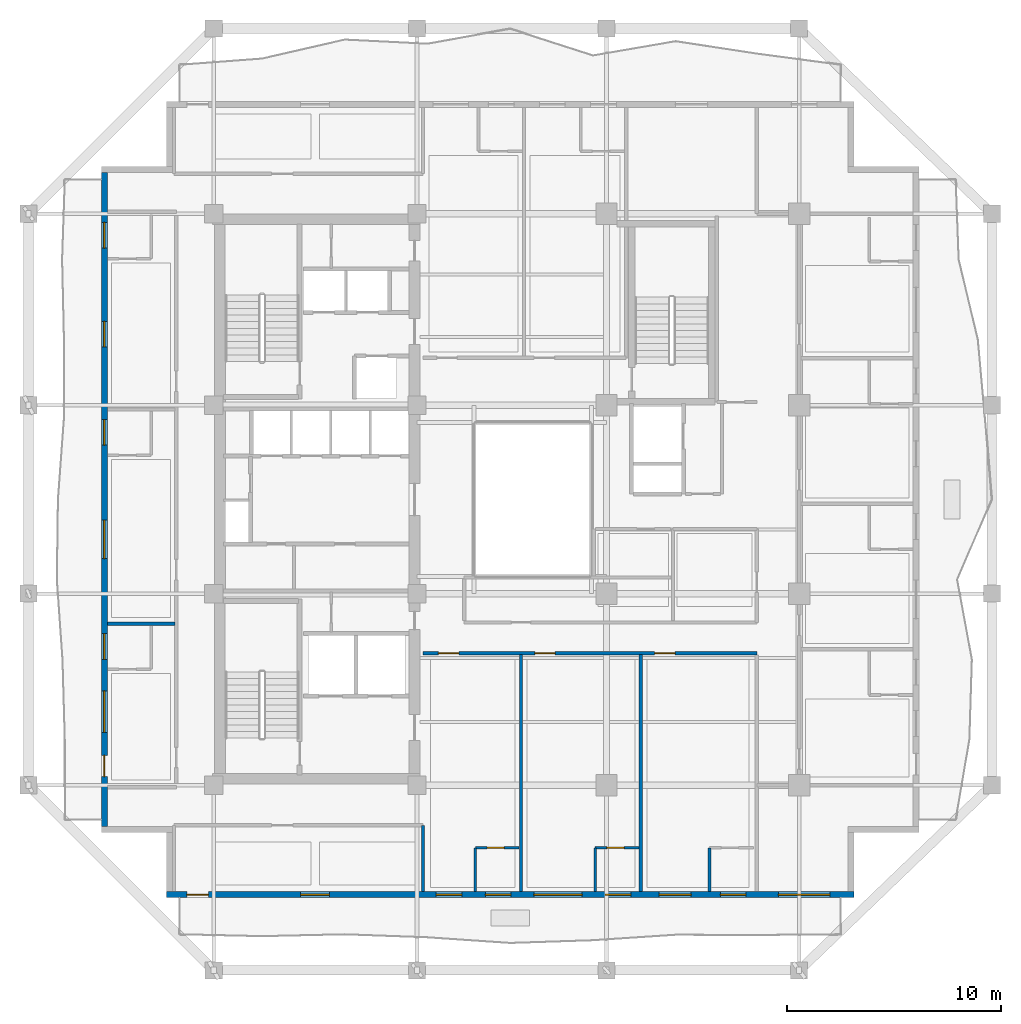
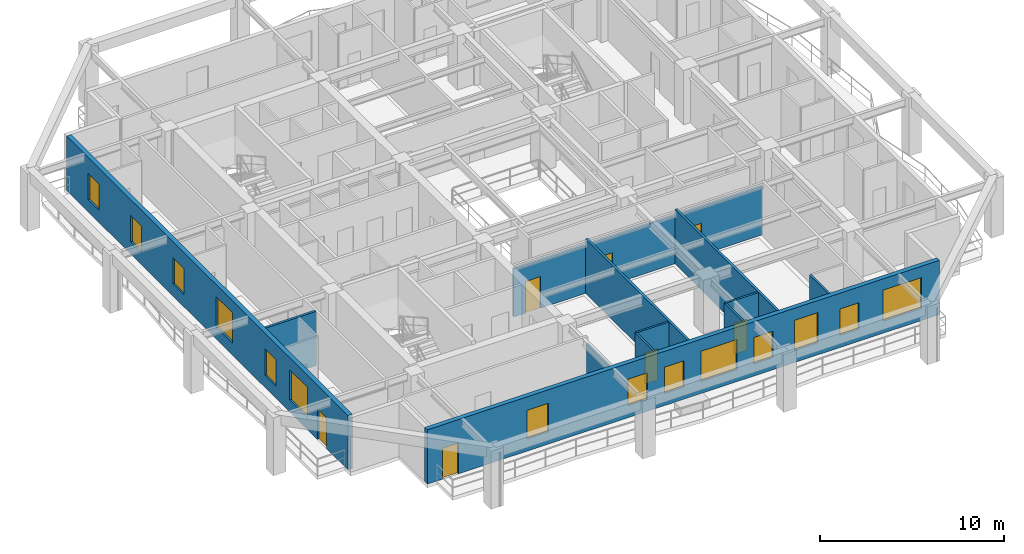
# One storey, part 3 of 12: 14 windows, 12 walls, 7 doors, 21 openings.
"""IFC4 building model written with IfcOpenShell, lengths in metres."""

from ifc_helpers import new_model, si_unit, direction, frame, frame_2d, origin, place, context, subcontext, project, spatial, rectangle, extrude, material, layer, layer_set, type_object, element, fill, save


model = new_model("IFC4")

# Units and contexts
model_context = context("Model", 3, precision=1e-05, world=origin(), true_north=direction((0.0, 1.0)))
body_context = subcontext(model_context, "Body", "Model", "MODEL_VIEW")
ifc_project = project(units=[si_unit("LENGTHUNIT", "METRE"), si_unit("AREAUNIT", "SQUARE_METRE"), si_unit("VOLUMEUNIT", "CUBIC_METRE"), si_unit("PLANEANGLEUNIT", "RADIAN"), si_unit("MASSUNIT", "GRAM", prefix="KILO")], contexts=[model_context])

# Site, building, storey
site_placement = place(None, origin())
site = spatial("IfcSite", under=ifc_project, at=site_placement, CompositionType="ELEMENT")
building_placement = place(site_placement, origin())
building = spatial("IfcBuilding", under=site, at=building_placement, Name="Kundavana Baori Tower", CompositionType="ELEMENT")
storey_placement = place(building_placement, frame((0.0, 0.0, 134.800048828125)))
storey = spatial("IfcBuildingStorey", under=building, at=storey_placement, Name="L32", CompositionType="ELEMENT", Elevation=134.800048828125)

# Wall, openings, door, windows
ifc_material_1 = material(Name="Red-Buff Dholpur Sandstone Cladding on Concrete C40/50", Category="masonry")
ifc_layer_1 = layer(ifc_material_1, 0.280029296875, Name="WL-EXT-SAND-280")
ifc_layer_set_1 = layer_set([ifc_layer_1], Name="Red-Buff Dholpur Sandstone Cladding on Concrete C40/50")
wall_type_1 = type_object("IfcWallType", Name="WL-EXT-SAND-280", PredefinedType="STANDARD", material=ifc_layer_set_1)
wall_1_placement = place(storey_placement, frame((13.25, 10.139892578125, 0.0), z_axis=(0.0, 0.0, 1.0), x_axis=(1.0, 0.0, 0.0)))
wall_1 = element("IfcWall", 1, at=wall_1_placement, inside=storey, type_object=wall_type_1, Name="L32 Exterior Insulated Facade Wall 01", PredefinedType="STANDARD", context=body_context, shape_type="SweptSolid", body=[
    extrude(rectangle(XDim=32.10009765625, YDim=0.280029296875, at=frame_2d((16.050048828125, 0.0))), origin(), (0.0, 0.0, 1.0), 3.599853515625),
])
opening_1_placement = place(wall_1_placement, frame((0.949951171875, 0.0, 0.0)))
opening_1 = element("IfcOpeningElement", 2, at=opening_1_placement, cuts=wall_1, Name="Opening BD-1", PredefinedType="OPENING", context=body_context, shape_type="SweptSolid", body=[
    extrude(rectangle(XDim=1.0, YDim=2.050048828125, at=frame_2d((0.5, 1.02490234375))), frame((0.0, 0.14990234375, 0.0), z_axis=(0.0, -1.0, 0.0), x_axis=(1.0, 0.0, 0.0)), (0.0, 0.0, 1.0), 0.300048828125),
])
opening_2_placement = place(wall_1_placement, frame((6.2548828125, 0.0, 0.800048828125)))
opening_2 = element("IfcOpeningElement", 3, at=opening_2_placement, cuts=wall_1, Name="Opening W-07", PredefinedType="OPENING", context=body_context, shape_type="SweptSolid", body=[
    extrude(rectangle(XDim=1.35009765625, YDim=1.89990234375, at=frame_2d((0.675048828125, 0.949951171875))), frame((0.0, 0.14990234375, 0.0), z_axis=(0.0, -1.0, 0.0), x_axis=(1.0, 0.0, 0.0)), (0.0, 0.0, 1.0), 0.300048828125),
])
opening_3_placement = place(wall_1_placement, frame((12.594970703125, 0.0, 0.800048828125)))
opening_3 = element("IfcOpeningElement", 4, at=opening_3_placement, cuts=wall_1, Name="Opening W-03", PredefinedType="OPENING", context=body_context, shape_type="SweptSolid", body=[
    extrude(rectangle(XDim=1.199951171875, YDim=1.75, at=frame_2d((0.60009765625, 0.875))), frame((0.0, 0.14990234375, 0.0), z_axis=(0.0, -1.0, 0.0), x_axis=(1.0, 0.0, 0.0)), (0.0, 0.0, 1.0), 0.300048828125),
])
opening_4_placement = place(wall_1_placement, frame((14.885009765625, 0.0, 0.800048828125)))
opening_4 = element("IfcOpeningElement", 5, at=opening_4_placement, cuts=wall_1, Name="Opening W-03", PredefinedType="OPENING", context=body_context, shape_type="SweptSolid", body=[
    extrude(rectangle(XDim=1.199951171875, YDim=1.75, at=frame_2d((0.60009765625, 0.875))), frame((0.0, 0.14990234375, 0.0), z_axis=(0.0, -1.0, 0.0), x_axis=(1.0, 0.0, 0.0)), (0.0, 0.0, 1.0), 0.300048828125),
])
opening_5_placement = place(wall_1_placement, frame((17.159912109375, 0.0, 0.800048828125)))
opening_5 = element("IfcOpeningElement", 6, at=opening_5_placement, cuts=wall_1, Name="Opening W-10", PredefinedType="OPENING", context=body_context, shape_type="SweptSolid", body=[
    extrude(rectangle(XDim=2.25, YDim=2.0, at=frame_2d((1.125, 1.0))), frame((0.0, 0.14990234375, 0.0), z_axis=(0.0, -1.0, 0.0), x_axis=(1.0, 0.0, 0.0)), (0.0, 0.0, 1.0), 0.300048828125),
])
opening_6_placement = place(wall_1_placement, frame((20.485107421875, 0.0, 0.800048828125)))
opening_6 = element("IfcOpeningElement", 7, at=opening_6_placement, cuts=wall_1, Name="Opening W-03", PredefinedType="OPENING", context=body_context, shape_type="SweptSolid", body=[
    extrude(rectangle(XDim=1.199951171875, YDim=1.75, at=frame_2d((0.60009765625, 0.875))), frame((0.0, 0.14990234375, 0.0), z_axis=(0.0, -1.0, 0.0), x_axis=(1.0, 0.0, 0.0)), (0.0, 0.0, 1.0), 0.300048828125),
])
opening_7_placement = place(wall_1_placement, frame((23.0048828125, 0.0, 0.800048828125)))
opening_7 = element("IfcOpeningElement", 8, at=opening_7_placement, cuts=wall_1, Name="Opening W-02", PredefinedType="OPENING", context=body_context, shape_type="SweptSolid", body=[
    extrude(rectangle(XDim=1.5, YDim=2.0, at=frame_2d((0.75, 1.0))), frame((0.0, 0.14990234375, 0.0), z_axis=(0.0, -1.0, 0.0), x_axis=(1.0, 0.0, 0.0)), (0.0, 0.0, 1.0), 0.300048828125),
])
opening_8_placement = place(wall_1_placement, frame((25.864990234375, 0.0, 0.800048828125)))
opening_8 = element("IfcOpeningElement", 9, at=opening_8_placement, cuts=wall_1, Name="Opening W-03", PredefinedType="OPENING", context=body_context, shape_type="SweptSolid", body=[
    extrude(rectangle(XDim=1.199951171875, YDim=1.75, at=frame_2d((0.60009765625, 0.875))), frame((0.0, 0.14990234375, 0.0), z_axis=(0.0, -1.0, 0.0), x_axis=(1.0, 0.0, 0.0)), (0.0, 0.0, 1.0), 0.300048828125),
])
opening_9_placement = place(wall_1_placement, frame((28.580078125, 0.0, 0.800048828125)))
opening_9 = element("IfcOpeningElement", 10, at=opening_9_placement, cuts=wall_1, Name="Opening W-04", PredefinedType="OPENING", context=body_context, shape_type="SweptSolid", body=[
    extrude(rectangle(XDim=2.39990234375, YDim=2.050048828125, at=frame_2d((1.199951171875, 1.02490234375))), frame((0.0, 0.14990234375, 0.0), z_axis=(0.0, -1.0, 0.0), x_axis=(1.0, 0.0, 0.0)), (0.0, 0.0, 1.0), 0.300048828125),
])
ifc_material_2 = material(Name="Architectural Patinated Bronze Metalwork")
door_type_1 = type_object("IfcDoorType", Name="DR-EXT-LOG-1000", OperationType="NOTDEFINED", PredefinedType="DOOR", material=ifc_material_2)
door_1_placement = place(opening_1_placement, frame((1.0, 0.0, 0.0), z_axis=(0.0, 0.0, 1.0), x_axis=(-1.0, 0.0, 0.0)))
door_1 = element("IfcDoor", 11, at=door_1_placement, inside=storey, type_object=door_type_1, Name="L32 Loggia Balcony Access Door S", OperationType="SINGLE_SWING_LEFT", OverallHeight=2.050048828125, OverallWidth=1.0, PredefinedType="DOOR", context=body_context, shape_type="SweptSolid", body=[
    extrude(rectangle(XDim=1.0, YDim=2.050048828125, at=frame_2d((0.5, 1.02490234375))), frame((0.0, 0.02490234375, 0.0), z_axis=(0.0, -1.0, 0.0), x_axis=(1.0, 0.0, 0.0)), (0.0, 0.0, 1.0), 0.050048828125),
])
fill(opening_1, door_1)
ifc_material_3 = material(Name="Double-Glazed Solar-Control Low-E Insulated Glass", Category="glass")
window_type_1 = type_object("IfcWindowType", Name="WIN-LOG-1200x1750", PartitioningType="SINGLE_PANEL", PredefinedType="WINDOW", material=ifc_material_3)
window_1_placement = place(opening_3_placement, origin())
window_1 = element("IfcWindow", 12, at=window_1_placement, inside=storey, type_object=window_type_1, Name="L32 Recessed Loggia Window S-2", OverallHeight=1.75, OverallWidth=1.199951171875, PartitioningType="SINGLE_PANEL", PredefinedType="WINDOW", context=body_context, shape_type="SweptSolid", body=[
    extrude(rectangle(XDim=1.199951171875, YDim=1.75, at=frame_2d((0.60009765625, 0.875))), frame((0.0, 0.030029296875, 0.0), z_axis=(0.0, -1.0, 0.0), x_axis=(1.0, 0.0, 0.0)), (0.0, 0.0, 1.0), 0.06005859375),
])
fill(opening_3, window_1)
window_2_placement = place(opening_4_placement, origin())
window_2 = element("IfcWindow", 13, at=window_2_placement, inside=storey, type_object=window_type_1, Name="L32 Recessed Loggia Window S-3", OverallHeight=1.75, OverallWidth=1.199951171875, PartitioningType="SINGLE_PANEL", PredefinedType="WINDOW", context=body_context, shape_type="SweptSolid", body=[
    extrude(rectangle(XDim=1.199951171875, YDim=1.75, at=frame_2d((0.60009765625, 0.875))), frame((0.0, 0.030029296875, 0.0), z_axis=(0.0, -1.0, 0.0), x_axis=(1.0, 0.0, 0.0)), (0.0, 0.0, 1.0), 0.06005859375),
])
fill(opening_4, window_2)
window_3_placement = place(opening_6_placement, origin())
window_3 = element("IfcWindow", 14, at=window_3_placement, inside=storey, type_object=window_type_1, Name="L32 Recessed Loggia Window S-5", OverallHeight=1.75, OverallWidth=1.199951171875, PartitioningType="SINGLE_PANEL", PredefinedType="WINDOW", context=body_context, shape_type="SweptSolid", body=[
    extrude(rectangle(XDim=1.199951171875, YDim=1.75, at=frame_2d((0.60009765625, 0.875))), frame((0.0, 0.030029296875, 0.0), z_axis=(0.0, -1.0, 0.0), x_axis=(1.0, 0.0, 0.0)), (0.0, 0.0, 1.0), 0.06005859375),
])
fill(opening_6, window_3)
window_4_placement = place(opening_8_placement, origin())
window_4 = element("IfcWindow", 15, at=window_4_placement, inside=storey, type_object=window_type_1, Name="L32 Recessed Loggia Window S-7", OverallHeight=1.75, OverallWidth=1.199951171875, PartitioningType="SINGLE_PANEL", PredefinedType="WINDOW", context=body_context, shape_type="SweptSolid", body=[
    extrude(rectangle(XDim=1.199951171875, YDim=1.75, at=frame_2d((0.60009765625, 0.875))), frame((0.0, 0.030029296875, 0.0), z_axis=(0.0, -1.0, 0.0), x_axis=(1.0, 0.0, 0.0)), (0.0, 0.0, 1.0), 0.06005859375),
])
fill(opening_8, window_4)
ifc_material_4 = material(Name="Double-Glazed Solar-Control Low-E Insulated Glass", Category="glass")
window_type_2 = type_object("IfcWindowType", Name="WIN-LOG-1350x1900", PartitioningType="SINGLE_PANEL", PredefinedType="WINDOW", material=ifc_material_4)
window_5_placement = place(opening_2_placement, origin())
window_5 = element("IfcWindow", 16, at=window_5_placement, inside=storey, type_object=window_type_2, Name="L32 Recessed Loggia Window S-1", OverallHeight=1.89990234375, OverallWidth=1.35009765625, PartitioningType="SINGLE_PANEL", PredefinedType="WINDOW", context=body_context, shape_type="SweptSolid", body=[
    extrude(rectangle(XDim=1.35009765625, YDim=1.89990234375, at=frame_2d((0.675048828125, 0.949951171875))), frame((0.0, 0.030029296875, 0.0), z_axis=(0.0, -1.0, 0.0), x_axis=(1.0, 0.0, 0.0)), (0.0, 0.0, 1.0), 0.06005859375),
])
fill(opening_2, window_5)
ifc_material_5 = material(Name="Double-Glazed Solar-Control Low-E Insulated Glass", Category="glass")
window_type_3 = type_object("IfcWindowType", Name="WIN-LOG-1500x2000", PartitioningType="SINGLE_PANEL", PredefinedType="WINDOW", material=ifc_material_5)
window_6_placement = place(opening_7_placement, origin())
window_6 = element("IfcWindow", 17, at=window_6_placement, inside=storey, type_object=window_type_3, Name="L32 Recessed Loggia Window S-6", OverallHeight=2.0, OverallWidth=1.5, PartitioningType="SINGLE_PANEL", PredefinedType="WINDOW", context=body_context, shape_type="SweptSolid", body=[
    extrude(rectangle(XDim=1.5, YDim=2.0, at=frame_2d((0.75, 1.0))), frame((0.0, 0.030029296875, 0.0), z_axis=(0.0, -1.0, 0.0), x_axis=(1.0, 0.0, 0.0)), (0.0, 0.0, 1.0), 0.06005859375),
])
fill(opening_7, window_6)
ifc_material_6 = material(Name="Double-Glazed Solar-Control Low-E Insulated Glass", Category="glass")
window_type_4 = type_object("IfcWindowType", Name="WIN-LOG-2250x2000", PartitioningType="SINGLE_PANEL", PredefinedType="WINDOW", material=ifc_material_6)
window_7_placement = place(opening_5_placement, origin())
window_7 = element("IfcWindow", 18, at=window_7_placement, inside=storey, type_object=window_type_4, Name="L32 Recessed Loggia Window S-4", OverallHeight=2.0, OverallWidth=2.25, PartitioningType="SINGLE_PANEL", PredefinedType="WINDOW", context=body_context, shape_type="SweptSolid", body=[
    extrude(rectangle(XDim=2.25, YDim=2.0, at=frame_2d((1.125, 1.0))), frame((0.0, 0.030029296875, 0.0), z_axis=(0.0, -1.0, 0.0), x_axis=(1.0, 0.0, 0.0)), (0.0, 0.0, 1.0), 0.06005859375),
])
fill(opening_5, window_7)
ifc_material_7 = material(Name="Double-Glazed Solar-Control Low-E Insulated Glass", Category="glass")
window_type_5 = type_object("IfcWindowType", Name="WIN-LOG-2400x2050", PartitioningType="SINGLE_PANEL", PredefinedType="WINDOW", material=ifc_material_7)
window_8_placement = place(opening_9_placement, origin())
window_8 = element("IfcWindow", 19, at=window_8_placement, inside=storey, type_object=window_type_5, Name="L32 Recessed Loggia Window S-8", OverallHeight=2.050048828125, OverallWidth=2.39990234375, PartitioningType="SINGLE_PANEL", PredefinedType="WINDOW", context=body_context, shape_type="SweptSolid", body=[
    extrude(rectangle(XDim=2.39990234375, YDim=2.050048828125, at=frame_2d((1.199951171875, 1.02490234375))), frame((0.0, 0.030029296875, 0.0), z_axis=(0.0, -1.0, 0.0), x_axis=(1.0, 0.0, 0.0)), (0.0, 0.0, 1.0), 0.06005859375),
])
fill(opening_9, window_8)

wall_2_placement = place(storey_placement, frame((10.340087890625, 43.8701171875, 0.0), z_axis=(0.0, 0.0, 1.0), x_axis=(0.0, -1.0, 0.0)))
wall_2 = element("IfcWall", 20, at=wall_2_placement, inside=storey, type_object=wall_type_1, Name="L32 Exterior Insulated Facade Wall 10", PredefinedType="STANDARD", context=body_context, shape_type="SweptSolid", body=[
    extrude(rectangle(XDim=30.5400390625, YDim=0.280029296875, at=frame_2d((15.27001953125, 0.0))), origin(), (0.0, 0.0, 1.0), 3.599853515625),
])
opening_10_placement = place(wall_2_placement, frame((27.219970703125, 0.0, 0.0)))
opening_10 = element("IfcOpeningElement", 21, at=opening_10_placement, cuts=wall_2, Name="Opening BD-1", PredefinedType="OPENING", context=body_context, shape_type="SweptSolid", body=[
    extrude(rectangle(XDim=1.0, YDim=2.050048828125, at=frame_2d((0.5, 1.02490234375))), frame((0.0, 0.14990234375, 0.0), z_axis=(0.0, -1.0, 0.0), x_axis=(1.0, 0.0, 0.0)), (0.0, 0.0, 1.0), 0.300048828125),
])
opening_11_placement = place(wall_2_placement, frame((24.205078125, 0.0, 0.800048828125)))
opening_11 = element("IfcOpeningElement", 22, at=opening_11_placement, cuts=wall_2, Name="Opening W-09", PredefinedType="OPENING", context=body_context, shape_type="SweptSolid", body=[
    extrude(rectangle(XDim=1.949951171875, YDim=2.0, at=frame_2d((0.97509765625, 1.0))), frame((0.0, 0.14990234375, 0.0), z_axis=(0.0, -1.0, 0.0), x_axis=(1.0, 0.0, 0.0)), (0.0, 0.0, 1.0), 0.300048828125),
])
opening_12_placement = place(wall_2_placement, frame((21.534912109375, 0.0, 0.800048828125)))
opening_12 = element("IfcOpeningElement", 23, at=opening_12_placement, cuts=wall_2, Name="Opening W-03", PredefinedType="OPENING", context=body_context, shape_type="SweptSolid", body=[
    extrude(rectangle(XDim=1.199951171875, YDim=1.75, at=frame_2d((0.60009765625, 0.875))), frame((0.0, 0.14990234375, 0.0), z_axis=(0.0, -1.0, 0.0), x_axis=(1.0, 0.0, 0.0)), (0.0, 0.0, 1.0), 0.300048828125),
])
opening_13_placement = place(wall_2_placement, frame((16.235107421875, 0.0, 0.800048828125)))
opening_13 = element("IfcOpeningElement", 24, at=opening_13_placement, cuts=wall_2, Name="Opening W-01", PredefinedType="OPENING", context=body_context, shape_type="SweptSolid", body=[
    extrude(rectangle(XDim=1.800048828125, YDim=2.0, at=frame_2d((0.89990234375, 1.0))), frame((0.0, 0.14990234375, 0.0), z_axis=(0.0, -1.0, 0.0), x_axis=(1.0, 0.0, 0.0)), (0.0, 0.0, 1.0), 0.300048828125),
])
opening_14_placement = place(wall_2_placement, frame((11.534912109375, 0.0, 0.800048828125)))
opening_14 = element("IfcOpeningElement", 25, at=opening_14_placement, cuts=wall_2, Name="Opening W-03", PredefinedType="OPENING", context=body_context, shape_type="SweptSolid", body=[
    extrude(rectangle(XDim=1.199951171875, YDim=1.75, at=frame_2d((0.60009765625, 0.875))), frame((0.0, 0.14990234375, 0.0), z_axis=(0.0, -1.0, 0.0), x_axis=(1.0, 0.0, 0.0)), (0.0, 0.0, 1.0), 0.300048828125),
])
opening_15_placement = place(wall_2_placement, frame((6.945068359375, 0.0, 0.800048828125)))
opening_15 = element("IfcOpeningElement", 26, at=opening_15_placement, cuts=wall_2, Name="Opening W-03", PredefinedType="OPENING", context=body_context, shape_type="SweptSolid", body=[
    extrude(rectangle(XDim=1.199951171875, YDim=1.75, at=frame_2d((0.60009765625, 0.875))), frame((0.0, 0.14990234375, 0.0), z_axis=(0.0, -1.0, 0.0), x_axis=(1.0, 0.0, 0.0)), (0.0, 0.0, 1.0), 0.300048828125),
])
opening_16_placement = place(wall_2_placement, frame((2.324951171875, 0.0, 0.800048828125)))
opening_16 = element("IfcOpeningElement", 27, at=opening_16_placement, cuts=wall_2, Name="Opening W-03", PredefinedType="OPENING", context=body_context, shape_type="SweptSolid", body=[
    extrude(rectangle(XDim=1.199951171875, YDim=1.75, at=frame_2d((0.60009765625, 0.875))), frame((0.0, 0.14990234375, 0.0), z_axis=(0.0, -1.0, 0.0), x_axis=(1.0, 0.0, 0.0)), (0.0, 0.0, 1.0), 0.300048828125),
])
door_2_placement = place(opening_10_placement, frame((1.0, 0.0, 0.0), z_axis=(0.0, 0.0, 1.0), x_axis=(-1.0, 0.0, 0.0)))
door_2 = element("IfcDoor", 28, at=door_2_placement, inside=storey, type_object=door_type_1, Name="L32 Loggia Balcony Access Door W", OperationType="SINGLE_SWING_RIGHT", OverallHeight=2.050048828125, OverallWidth=1.0, PredefinedType="DOOR", context=body_context, shape_type="SweptSolid", body=[
    extrude(rectangle(XDim=1.0, YDim=2.050048828125, at=frame_2d((0.5, 1.02490234375))), frame((0.0, 0.02490234375, 0.0), z_axis=(0.0, -1.0, 0.0), x_axis=(1.0, 0.0, 0.0)), (0.0, 0.0, 1.0), 0.050048828125),
])
fill(opening_10, door_2)
window_9_placement = place(opening_12_placement, origin())
window_9 = element("IfcWindow", 29, at=window_9_placement, inside=storey, type_object=window_type_1, Name="L32 Recessed Loggia Window W-2", OverallHeight=1.75, OverallWidth=1.199951171875, PartitioningType="SINGLE_PANEL", PredefinedType="WINDOW", context=body_context, shape_type="SweptSolid", body=[
    extrude(rectangle(XDim=1.199951171875, YDim=1.75, at=frame_2d((0.60009765625, 0.875))), frame((0.0, 0.030029296875, 0.0), z_axis=(0.0, -1.0, 0.0), x_axis=(1.0, 0.0, 0.0)), (0.0, 0.0, 1.0), 0.06005859375),
])
fill(opening_12, window_9)
window_10_placement = place(opening_14_placement, origin())
window_10 = element("IfcWindow", 30, at=window_10_placement, inside=storey, type_object=window_type_1, Name="L32 Recessed Loggia Window W-4", OverallHeight=1.75, OverallWidth=1.199951171875, PartitioningType="SINGLE_PANEL", PredefinedType="WINDOW", context=body_context, shape_type="SweptSolid", body=[
    extrude(rectangle(XDim=1.199951171875, YDim=1.75, at=frame_2d((0.60009765625, 0.875))), frame((0.0, 0.030029296875, 0.0), z_axis=(0.0, -1.0, 0.0), x_axis=(1.0, 0.0, 0.0)), (0.0, 0.0, 1.0), 0.06005859375),
])
fill(opening_14, window_10)
window_11_placement = place(opening_15_placement, origin())
window_11 = element("IfcWindow", 31, at=window_11_placement, inside=storey, type_object=window_type_1, Name="L32 Recessed Loggia Window W-5", OverallHeight=1.75, OverallWidth=1.199951171875, PartitioningType="SINGLE_PANEL", PredefinedType="WINDOW", context=body_context, shape_type="SweptSolid", body=[
    extrude(rectangle(XDim=1.199951171875, YDim=1.75, at=frame_2d((0.60009765625, 0.875))), frame((0.0, 0.030029296875, 0.0), z_axis=(0.0, -1.0, 0.0), x_axis=(1.0, 0.0, 0.0)), (0.0, 0.0, 1.0), 0.06005859375),
])
fill(opening_15, window_11)
window_12_placement = place(opening_16_placement, origin())
window_12 = element("IfcWindow", 32, at=window_12_placement, inside=storey, type_object=window_type_1, Name="L32 Recessed Loggia Window W-6", OverallHeight=1.75, OverallWidth=1.199951171875, PartitioningType="SINGLE_PANEL", PredefinedType="WINDOW", context=body_context, shape_type="SweptSolid", body=[
    extrude(rectangle(XDim=1.199951171875, YDim=1.75, at=frame_2d((0.60009765625, 0.875))), frame((0.0, 0.030029296875, 0.0), z_axis=(0.0, -1.0, 0.0), x_axis=(1.0, 0.0, 0.0)), (0.0, 0.0, 1.0), 0.06005859375),
])
fill(opening_16, window_12)
ifc_material_8 = material(Name="Double-Glazed Solar-Control Low-E Insulated Glass", Category="glass")
window_type_6 = type_object("IfcWindowType", Name="WIN-LOG-1800x2000", PartitioningType="SINGLE_PANEL", PredefinedType="WINDOW", material=ifc_material_8)
window_13_placement = place(opening_13_placement, origin())
window_13 = element("IfcWindow", 33, at=window_13_placement, inside=storey, type_object=window_type_6, Name="L32 Recessed Loggia Window W-3", OverallHeight=2.0, OverallWidth=1.800048828125, PartitioningType="SINGLE_PANEL", PredefinedType="WINDOW", context=body_context, shape_type="SweptSolid", body=[
    extrude(rectangle(XDim=1.800048828125, YDim=2.0, at=frame_2d((0.89990234375, 1.0))), frame((0.0, 0.030029296875, 0.0), z_axis=(0.0, -1.0, 0.0), x_axis=(1.0, 0.0, 0.0)), (0.0, 0.0, 1.0), 0.06005859375),
])
fill(opening_13, window_13)
ifc_material_9 = material(Name="Double-Glazed Solar-Control Low-E Insulated Glass", Category="glass")
window_type_7 = type_object("IfcWindowType", Name="WIN-LOG-1950x2000", PartitioningType="SINGLE_PANEL", PredefinedType="WINDOW", material=ifc_material_9)
window_14_placement = place(opening_11_placement, origin())
window_14 = element("IfcWindow", 34, at=window_14_placement, inside=storey, type_object=window_type_7, Name="L32 Recessed Loggia Window W-1", OverallHeight=2.0, OverallWidth=1.949951171875, PartitioningType="SINGLE_PANEL", PredefinedType="WINDOW", context=body_context, shape_type="SweptSolid", body=[
    extrude(rectangle(XDim=1.949951171875, YDim=2.0, at=frame_2d((0.97509765625, 1.0))), frame((0.0, 0.030029296875, 0.0), z_axis=(0.0, -1.0, 0.0), x_axis=(1.0, 0.0, 0.0)), (0.0, 0.0, 1.0), 0.06005859375),
])
fill(opening_11, window_14)

# Wall, openings, doors
ifc_material_10 = material(Name="Fire-Rated Gypsum Drywall on Galvanised Steel Studs", Category="steel")
ifc_layer_2 = layer(ifc_material_10, 0.14990234375, Name="WL-PART-150")
ifc_layer_set_2 = layer_set([ifc_layer_2], Name="Fire-Rated Gypsum Drywall on Galvanised Steel Studs")
wall_type_2 = type_object("IfcWallType", Name="WL-PART-150", PredefinedType="PARTITIONING", material=ifc_layer_set_2)
wall_3_placement = place(storey_placement, frame((25.219970703125, 21.419921875, 0.0), z_axis=(0.0, 0.0, 1.0), x_axis=(1.0, 0.0, 0.0)))
wall_3 = element("IfcWall", 35, at=wall_3_placement, inside=storey, type_object=wall_type_2, Name="WL-L32-HS", PredefinedType="PARTITIONING", context=body_context, shape_type="SweptSolid", body=[
    extrude(rectangle(XDim=15.60009765625, YDim=0.14990234375, at=frame_2d((7.800048828125, 0.0))), origin(), (0.0, 0.0, 1.0), 3.199951171875),
])
opening_17_placement = place(wall_3_placement, frame((0.72998046875, 0.0, 0.0)))
opening_17 = element("IfcOpeningElement", 36, at=opening_17_placement, cuts=wall_3, Name="Opening FD-095", PredefinedType="OPENING", context=body_context, shape_type="SweptSolid", body=[
    extrude(rectangle(XDim=0.949951171875, YDim=2.10009765625, at=frame_2d((0.47509765625, 1.050048828125))), frame((0.0, 0.0849609375, 0.0), z_axis=(0.0, -1.0, 0.0), x_axis=(1.0, 0.0, 0.0)), (0.0, 0.0, 1.0), 0.169921875),
])
opening_18_placement = place(wall_3_placement, frame((5.22998046875, 0.0, 0.0)))
opening_18 = element("IfcOpeningElement", 37, at=opening_18_placement, cuts=wall_3, Name="Opening FD-095", PredefinedType="OPENING", context=body_context, shape_type="SweptSolid", body=[
    extrude(rectangle(XDim=0.949951171875, YDim=2.10009765625, at=frame_2d((0.47509765625, 1.050048828125))), frame((0.0, 0.0849609375, 0.0), z_axis=(0.0, -1.0, 0.0), x_axis=(1.0, 0.0, 0.0)), (0.0, 0.0, 1.0), 0.169921875),
])
opening_19_placement = place(wall_3_placement, frame((10.830078125, 0.0, 0.0)))
opening_19 = element("IfcOpeningElement", 38, at=opening_19_placement, cuts=wall_3, Name="Opening FD-095", PredefinedType="OPENING", context=body_context, shape_type="SweptSolid", body=[
    extrude(rectangle(XDim=0.949951171875, YDim=2.10009765625, at=frame_2d((0.47509765625, 1.050048828125))), frame((0.0, 0.0849609375, 0.0), z_axis=(0.0, -1.0, 0.0), x_axis=(1.0, 0.0, 0.0)), (0.0, 0.0, 1.0), 0.169921875),
])
ifc_material_11 = material(Name="Engineered Teak Fire-Rated Timber Door Leaf", Category="wood")
door_type_2 = type_object("IfcDoorType", Name="DR-FD60-950", OperationType="NOTDEFINED", PredefinedType="DOOR", material=ifc_material_11)
door_3_placement = place(opening_17_placement, frame((0.949951171875, 0.0, 0.0), z_axis=(0.0, 0.0, 1.0), x_axis=(-1.0, 0.0, 0.0)))
door_3 = element("IfcDoor", 39, at=door_3_placement, inside=storey, type_object=door_type_2, Name="DR-L32-HK-S1-ENT", OperationType="SINGLE_SWING_RIGHT", OverallHeight=2.10009765625, OverallWidth=0.949951171875, PredefinedType="DOOR", context=body_context, shape_type="SweptSolid", body=[
    extrude(rectangle(XDim=0.949951171875, YDim=2.10009765625, at=frame_2d((0.47509765625, 1.050048828125))), frame((0.0, 0.02490234375, 0.0), z_axis=(0.0, -1.0, 0.0), x_axis=(1.0, 0.0, 0.0)), (0.0, 0.0, 1.0), 0.050048828125),
])
fill(opening_17, door_3)
door_4_placement = place(opening_18_placement, frame((0.949951171875, 0.0, 0.0), z_axis=(0.0, 0.0, 1.0), x_axis=(-1.0, 0.0, 0.0)))
door_4 = element("IfcDoor", 40, at=door_4_placement, inside=storey, type_object=door_type_2, Name="DR-L32-HK-S2-ENT", OperationType="SINGLE_SWING_RIGHT", OverallHeight=2.10009765625, OverallWidth=0.949951171875, PredefinedType="DOOR", context=body_context, shape_type="SweptSolid", body=[
    extrude(rectangle(XDim=0.949951171875, YDim=2.10009765625, at=frame_2d((0.47509765625, 1.050048828125))), frame((0.0, 0.02490234375, 0.0), z_axis=(0.0, -1.0, 0.0), x_axis=(1.0, 0.0, 0.0)), (0.0, 0.0, 1.0), 0.050048828125),
])
fill(opening_18, door_4)
door_5_placement = place(opening_19_placement, frame((0.949951171875, 0.0, 0.0), z_axis=(0.0, 0.0, 1.0), x_axis=(-1.0, 0.0, 0.0)))
door_5 = element("IfcDoor", 41, at=door_5_placement, inside=storey, type_object=door_type_2, Name="DR-L32-HK-S3-ENT", OperationType="SINGLE_SWING_RIGHT", OverallHeight=2.10009765625, OverallWidth=0.949951171875, PredefinedType="DOOR", context=body_context, shape_type="SweptSolid", body=[
    extrude(rectangle(XDim=0.949951171875, YDim=2.10009765625, at=frame_2d((0.47509765625, 1.050048828125))), frame((0.0, 0.02490234375, 0.0), z_axis=(0.0, -1.0, 0.0), x_axis=(1.0, 0.0, 0.0)), (0.0, 0.0, 1.0), 0.050048828125),
])
fill(opening_19, door_5)

# Walls
wall_4_placement = place(storey_placement, frame((25.219970703125, 10.280029296875, 0.0), z_axis=(0.0, 0.0, 1.0), x_axis=(0.0, 1.0, 0.0)))
element("IfcWall", 42, at=wall_4_placement, inside=storey, type_object=wall_type_2, Name="WL-L32-HSCE", PredefinedType="PARTITIONING", context=body_context, shape_type="SweptSolid", body=[
    extrude(rectangle(XDim=3.099853515625, YDim=0.14990234375, at=frame_2d((1.5498046875, 0.0))), origin(), (0.0, 0.0, 1.0), 3.099853515625),
])
wall_5_placement = place(storey_placement, frame((10.47998046875, 22.800048828125, 0.0), z_axis=(0.0, 0.0, 1.0), x_axis=(1.0, 0.0, 0.0)))
element("IfcWall", 43, at=wall_5_placement, inside=storey, type_object=wall_type_2, Name="WL-L32-HWD1", PredefinedType="PARTITIONING", context=body_context, shape_type="SweptSolid", body=[
    extrude(rectangle(XDim=3.159912109375, YDim=0.14990234375, at=frame_2d((1.580078125, 0.0))), origin(), (0.0, 0.0, 1.0), 3.599853515625),
])
for number, where, z_axis, x_axis, name in (
    (44, (29.800048828125, 10.280029296875, 0.0), (0.0, 0.0, 1.0), (0.0, 1.0, 0.0), "WL-L32-HSD1"),
    (45, (35.39990234375, 10.280029296875, 0.0), (0.0, 0.0, 1.0), (0.0, 1.0, 0.0), "WL-L32-HSD2"),
):
    element("IfcWall", number, at=place(storey_placement, frame(where, z_axis=z_axis, x_axis=x_axis)), inside=storey, type_object=wall_type_2, Name=name, PredefinedType="PARTITIONING", context=body_context, shape_type="SweptSolid", body=[
        extrude(rectangle(XDim=11.080078125, YDim=0.14990234375, at=frame_2d((5.5400390625, 0.0))), origin(), (0.0, 0.0, 1.0), 3.599853515625),
    ])
ifc_material_12 = material(Name="Autoclaved Aerated Concrete Blockwork Masonry", Category="masonry")
ifc_layer_3 = layer(ifc_material_12, 0.125, Name="WL-WET-120")
ifc_layer_set_3 = layer_set([ifc_layer_3], Name="Autoclaved Aerated Concrete Blockwork Masonry")
wall_type_3 = type_object("IfcWallType", Name="WL-WET-120", PredefinedType="PLUMBINGWALL", material=ifc_layer_set_3)
wall_6_placement = place(storey_placement, frame((27.669921875, 10.280029296875, 0.0), z_axis=(0.0, 0.0, 1.0), x_axis=(0.0, 1.0, 0.0)))
element("IfcWall", 46, at=wall_6_placement, inside=storey, type_object=wall_type_3, Name="WL-L32-HK-S1-BW", PredefinedType="PLUMBINGWALL", context=body_context, shape_type="SweptSolid", body=[
    extrude(rectangle(XDim=2.050048828125, YDim=0.125, at=frame_2d((1.02490234375, 0.0))), origin(), (0.0, 0.0, 1.0), 3.599853515625),
])

# Wall, opening, door
wall_7_placement = place(storey_placement, frame((27.669921875, 12.330078125, 0.0), z_axis=(0.0, 0.0, 1.0), x_axis=(1.0, 0.0, 0.0)))
wall_7 = element("IfcWall", 47, at=wall_7_placement, inside=storey, type_object=wall_type_3, Name="WL-L32-HK-S1-BN", PredefinedType="PLUMBINGWALL", context=body_context, shape_type="SweptSolid", body=[
    extrude(rectangle(XDim=2.050048828125, YDim=0.125, at=frame_2d((1.02490234375, 0.0))), origin(), (0.0, 0.0, 1.0), 3.599853515625),
])
opening_20_placement = place(wall_7_placement, frame((0.550048828125, 0.0, 0.0)))
opening_20 = element("IfcOpeningElement", 48, at=opening_20_placement, cuts=wall_7, Name="Opening WD-080", PredefinedType="OPENING", context=body_context, shape_type="SweptSolid", body=[
    extrude(rectangle(XDim=0.800048828125, YDim=2.050048828125, at=frame_2d((0.39990234375, 1.02490234375))), frame((0.0, 0.072509765625, 0.0), z_axis=(0.0, -1.0, 0.0), x_axis=(1.0, 0.0, 0.0)), (0.0, 0.0, 1.0), 0.14501953125),
])
ifc_material_13 = material(Name="Engineered Teak Solid-Core Timber Veneer", Category="wood")
door_type_3 = type_object("IfcDoorType", Name="DR-WET-800", OperationType="NOTDEFINED", PredefinedType="DOOR", material=ifc_material_13)
door_6_placement = place(opening_20_placement, origin())
door_6 = element("IfcDoor", 49, at=door_6_placement, inside=storey, type_object=door_type_3, Name="DR-L32-HK-S1-ENS", OperationType="SINGLE_SWING_LEFT", OverallHeight=2.050048828125, OverallWidth=0.800048828125, PredefinedType="DOOR", context=body_context, shape_type="SweptSolid", body=[
    extrude(rectangle(XDim=0.800048828125, YDim=2.050048828125, at=frame_2d((0.39990234375, 1.02490234375))), frame((0.0, 0.02490234375, 0.0), z_axis=(0.0, -1.0, 0.0), x_axis=(1.0, 0.0, 0.0)), (0.0, 0.0, 1.0), 0.050048828125),
])
fill(opening_20, door_6)

# Wall
wall_8_placement = place(storey_placement, frame((33.27001953125, 10.280029296875, 0.0), z_axis=(0.0, 0.0, 1.0), x_axis=(0.0, 1.0, 0.0)))
element("IfcWall", 50, at=wall_8_placement, inside=storey, type_object=wall_type_3, Name="WL-L32-HK-S2-BW", PredefinedType="PLUMBINGWALL", context=body_context, shape_type="SweptSolid", body=[
    extrude(rectangle(XDim=2.050048828125, YDim=0.125, at=frame_2d((1.02490234375, 0.0))), origin(), (0.0, 0.0, 1.0), 3.599853515625),
])

# Wall, opening, door
wall_9_placement = place(storey_placement, frame((33.27001953125, 12.330078125, 0.0), z_axis=(0.0, 0.0, 1.0), x_axis=(1.0, 0.0, 0.0)))
wall_9 = element("IfcWall", 51, at=wall_9_placement, inside=storey, type_object=wall_type_3, Name="WL-L32-HK-S2-BN", PredefinedType="PLUMBINGWALL", context=body_context, shape_type="SweptSolid", body=[
    extrude(rectangle(XDim=2.050048828125, YDim=0.125, at=frame_2d((1.02490234375, 0.0))), origin(), (0.0, 0.0, 1.0), 3.599853515625),
])
opening_21_placement = place(wall_9_placement, frame((0.550048828125, 0.0, 0.0)))
opening_21 = element("IfcOpeningElement", 52, at=opening_21_placement, cuts=wall_9, Name="Opening WD-080", PredefinedType="OPENING", context=body_context, shape_type="SweptSolid", body=[
    extrude(rectangle(XDim=0.800048828125, YDim=2.050048828125, at=frame_2d((0.39990234375, 1.02490234375))), frame((0.0, 0.072509765625, 0.0), z_axis=(0.0, -1.0, 0.0), x_axis=(1.0, 0.0, 0.0)), (0.0, 0.0, 1.0), 0.14501953125),
])
door_7_placement = place(opening_21_placement, origin())
door_7 = element("IfcDoor", 53, at=door_7_placement, inside=storey, type_object=door_type_3, Name="DR-L32-HK-S2-ENS", OperationType="SINGLE_SWING_LEFT", OverallHeight=2.050048828125, OverallWidth=0.800048828125, PredefinedType="DOOR", context=body_context, shape_type="SweptSolid", body=[
    extrude(rectangle(XDim=0.800048828125, YDim=2.050048828125, at=frame_2d((0.39990234375, 1.02490234375))), frame((0.0, 0.02490234375, 0.0), z_axis=(0.0, -1.0, 0.0), x_axis=(1.0, 0.0, 0.0)), (0.0, 0.0, 1.0), 0.050048828125),
])
fill(opening_21, door_7)

# Wall
wall_10_placement = place(storey_placement, frame((38.610107421875, 10.280029296875, 0.0), z_axis=(0.0, 0.0, 1.0), x_axis=(0.0, 1.0, 0.0)))
element("IfcWall", 54, at=wall_10_placement, inside=storey, type_object=wall_type_3, Name="WL-L32-HK-S3-BW", PredefinedType="PLUMBINGWALL", context=body_context, shape_type="SweptSolid", body=[
    extrude(rectangle(XDim=2.050048828125, YDim=0.125, at=frame_2d((1.02490234375, 0.0))), origin(), (0.0, 0.0, 1.0), 3.599853515625),
])

save(model, "model.ifc")
